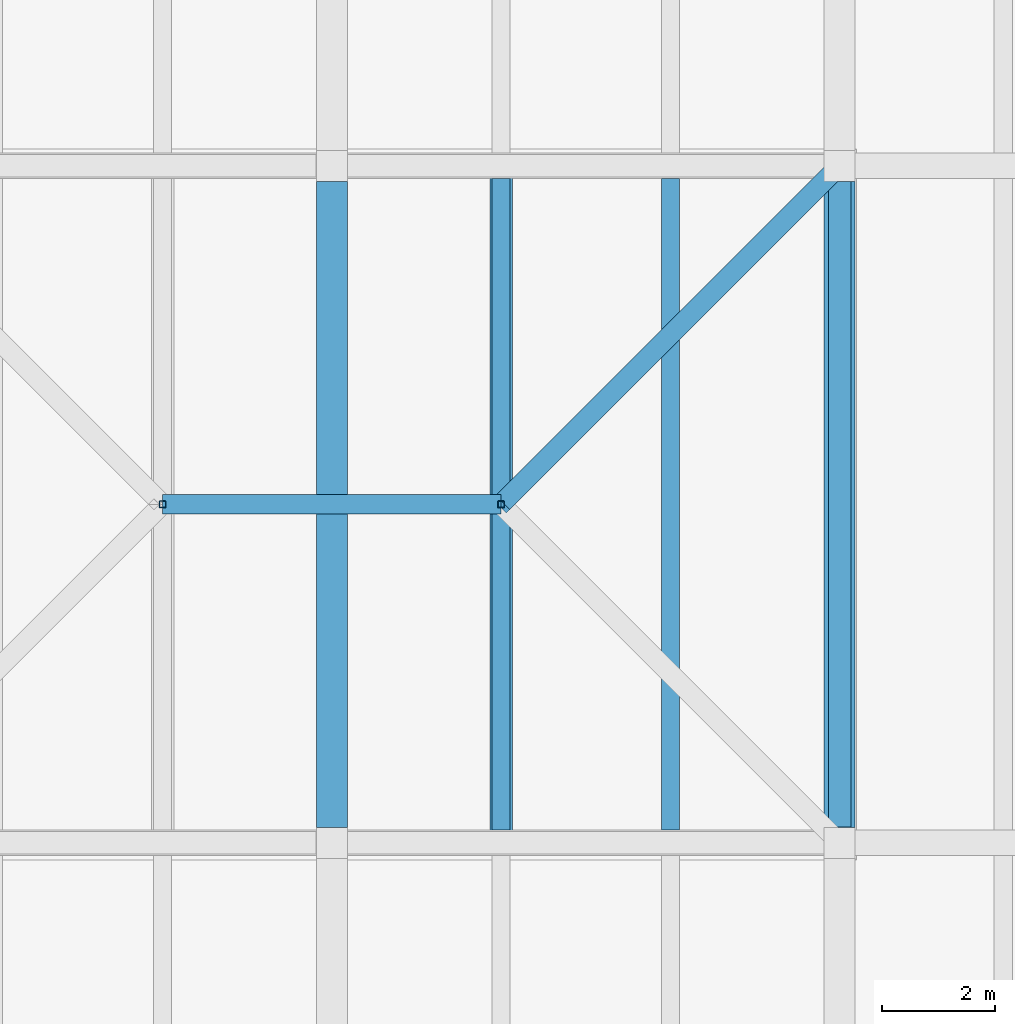
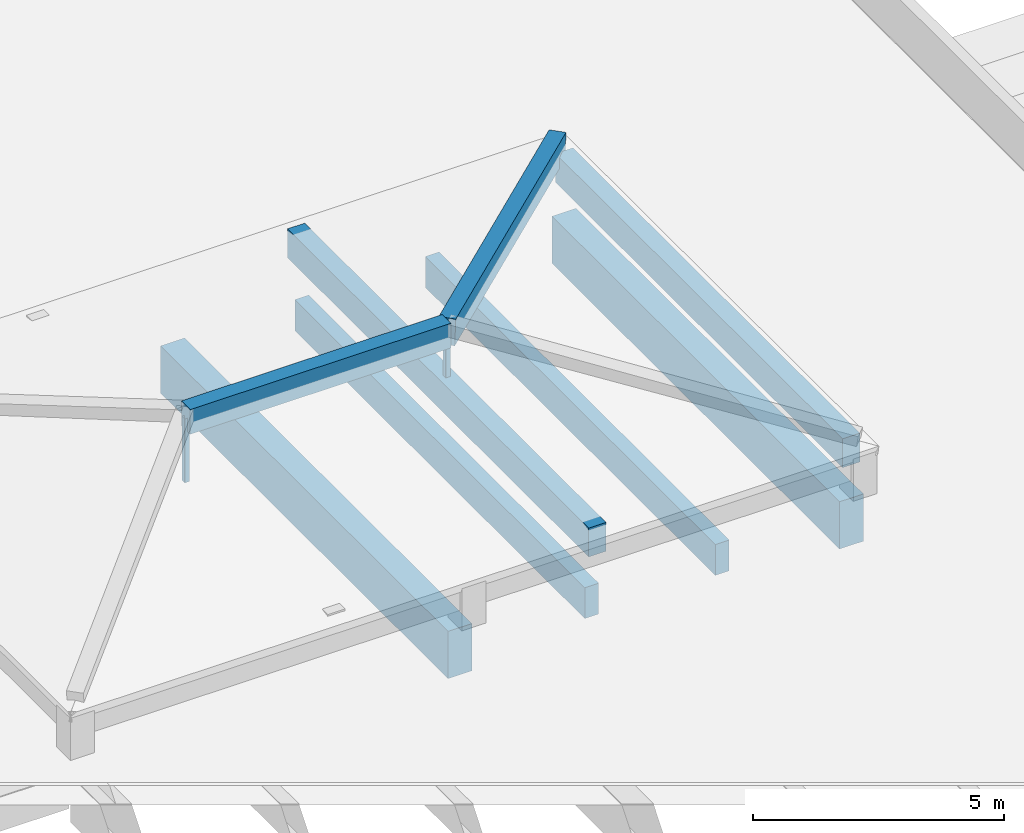
# One storey, part 17 of 56: 8 beams, 2 members.
"""IFC4 building model written with IfcOpenShell, lengths in metres."""

from ifc_helpers import new_model, si_unit, direction, frame, origin, origin_2d, place, context, subcontext, project, spatial, rectangle, hollow_rectangle, extrude, material, material_profile, profile_set, type_object, element, save


model = new_model("IFC4")

# Units and contexts
model_context = context("Model", 3, precision=1e-05, world=origin(), true_north=direction((0.0, 1.0)))
body_context = subcontext(model_context, "Body", "Model", "MODEL_VIEW")
ifc_project = project(units=[si_unit("LENGTHUNIT", "METRE"), si_unit("AREAUNIT", "SQUARE_METRE"), si_unit("VOLUMEUNIT", "CUBIC_METRE"), si_unit("PLANEANGLEUNIT", "RADIAN"), si_unit("MASSUNIT", "GRAM", prefix="KILO")], contexts=[model_context])

# Site, building, storey
site_placement = place(None, origin())
site = spatial("IfcSite", under=ifc_project, at=site_placement, CompositionType="ELEMENT")
building_placement = place(site_placement, origin())
building = spatial("IfcBuilding", under=site, at=building_placement, Name="Zacnel Wholesale Market", CompositionType="ELEMENT")
storey_placement = place(building_placement, frame((0.0, 0.0, 20.300048828125)))
storey = spatial("IfcBuildingStorey", under=building, at=storey_placement, Name="RF", CompositionType="ELEMENT", Elevation=20.300048828125)

# Beams
ifc_material_1 = material(Name="Concrete C40/50", Category="concrete")
ifc_material_profile_1 = material_profile(ifc_material_1, rectangle(XDim=0.35009765625, YDim=0.60009765625, at=origin_2d()), Name="ARCH RIB 350x600")
ifc_profile_set_1 = profile_set([ifc_material_profile_1], Name="Concrete C40/50")
beam_type_1 = type_object("IfcBeamType", Name="BM-AR600", PredefinedType="USERDEFINED", material=ifc_profile_set_1)
beam_1_placement = place(storey_placement, frame((63.0, 120.0, 1.179931640625), z_axis=(-0.700140600607, -0.700140600607, 0.140022422363), x_axis=(0.707106781187, -0.707106781187, 0.0)))
element("IfcBeam", 1, at=beam_1_placement, inside=storey, type_object=beam_type_1, Name="Hipped crown rib STR-ROOF-V3NLAN-3", ObjectType="ARCH RIB", PredefinedType="USERDEFINED", context=body_context, shape_type="SweptSolid", body=[
    extrude(rectangle(XDim=0.35009765625, YDim=0.60009765625, at=origin_2d()), origin(), (0.0, 0.0, 1.0), 8.56982421875),
])
beam_2_placement = place(storey_placement, frame((51.0, 114.0, 2.3798828125), z_axis=(1.0, 0.0, 0.0), x_axis=(0.0, 1.0, 0.0)))
element("IfcBeam", 2, at=beam_2_placement, inside=storey, type_object=beam_type_1, Name="Hipped crown ridge STR-ROOF-V3NLAN", ObjectType="ARCH RIB", PredefinedType="USERDEFINED", context=body_context, shape_type="SweptSolid", body=[
    extrude(rectangle(XDim=0.35009765625, YDim=0.60009765625, at=origin_2d()), origin(), (0.0, 0.0, 1.0), 6.0),
])
ifc_material_2 = material(Name="Precast concrete C45/55", Category="concrete")
ifc_material_profile_2 = material_profile(ifc_material_2, rectangle(XDim=0.320068359375, YDim=0.75, at=origin_2d()), Name="DT RIB 320x750")
ifc_profile_set_2 = profile_set([ifc_material_profile_2], Name="Precast concrete C45/55")
beam_type_2 = type_object("IfcBeamType", Name="BM-DT750", PredefinedType="JOIST", material=ifc_profile_set_2)
for number, where, z_axis, x_axis, name in (
    (3, (57.0, 108.22509765625, -0.675048828125), (0.0, 1.0, 0.0), (-1.0, 0.0, 0.0), "Precast secondary joist RF-0949"),
    (4, (60.0, 108.22509765625, -0.675048828125), (0.0, 1.0, 0.0), (-1.0, 0.0, 0.0), "Precast secondary joist RF-0950"),
):
    element("IfcBeam", number, at=place(storey_placement, frame(where, z_axis=z_axis, x_axis=x_axis)), inside=storey, type_object=beam_type_2, Name=name, PredefinedType="JOIST", context=body_context, shape_type="SweptSolid", body=[
        extrude(rectangle(XDim=0.320068359375, YDim=0.75, at=origin_2d()), origin(), (0.0, 0.0, 1.0), 11.5498046875),
    ])
ifc_material_3 = material(Name="Precast concrete C45/55", Category="concrete")
ifc_material_profile_3 = material_profile(ifc_material_3, rectangle(XDim=0.550048828125, YDim=1.14990234375, at=origin_2d()), Name="PG 550x1150")
ifc_profile_set_3 = profile_set([ifc_material_profile_3], Name="Precast concrete C45/55")
beam_type_3 = type_object("IfcBeamType", Name="BM-PG1150", PredefinedType="T_BEAM", material=ifc_profile_set_3)
for number, where, z_axis, x_axis, name in (
    (5, (54.0, 108.27490234375, -0.875), (0.0, 1.0, 0.0), (-1.0, 0.0, 0.0), "Precast girder Y-1476"),
    (6, (63.0, 108.27490234375, -0.875), (0.0, 1.0, 0.0), (-1.0, 0.0, 0.0), "Precast girder Y-1484"),
):
    element("IfcBeam", number, at=place(storey_placement, frame(where, z_axis=z_axis, x_axis=x_axis)), inside=storey, type_object=beam_type_3, Name=name, PredefinedType="T_BEAM", context=body_context, shape_type="SweptSolid", body=[
        extrude(rectangle(XDim=0.550048828125, YDim=1.14990234375, at=origin_2d()), origin(), (0.0, 0.0, 1.0), 11.4501953125),
    ])
ifc_material_4 = material(Name="Precast concrete C45/55", Category="concrete")
ifc_material_profile_4 = material_profile(ifc_material_4, rectangle(XDim=0.39990234375, YDim=0.699951171875, at=origin_2d()), Name="PG 400x700")
ifc_profile_set_4 = profile_set([ifc_material_profile_4], Name="Precast concrete C45/55")
beam_type_4 = type_object("IfcBeamType", Name="BM-PG700", PredefinedType="BEAM", material=ifc_profile_set_4)
beam_3_placement = place(storey_placement, frame((63.0, 108.280029296875, 0.849853515625), z_axis=(0.0, 1.0, 0.0), x_axis=(-1.0, 0.0, 0.0)))
element("IfcBeam", 7, at=beam_3_placement, inside=storey, type_object=beam_type_4, Name="Attic crown girder Y V3NLAN-06", PredefinedType="BEAM", context=body_context, shape_type="SweptSolid", body=[
    extrude(rectangle(XDim=0.39990234375, YDim=0.699951171875, at=origin_2d()), origin(), (0.0, 0.0, 1.0), 11.43994140625),
])
beam_4_placement = place(storey_placement, frame((57.0, 108.0, 0.949951171875), z_axis=(0.0, 1.0, 0.0), x_axis=(-1.0, 0.0, 0.0)))
element("IfcBeam", 8, at=beam_4_placement, inside=storey, type_object=beam_type_4, Name="Hipped crown tie beam STR-ROOF-V3NLAN-2", PredefinedType="BEAM", context=body_context, shape_type="SweptSolid", body=[
    extrude(rectangle(XDim=0.39990234375, YDim=0.699951171875, at=origin_2d()), origin(), (0.0, 0.0, 1.0), 12.0),
])

# Members
ifc_material_5 = material(Name="Steel S355", Category="steel")
ifc_material_profile_5 = material_profile(ifc_material_5, hollow_rectangle(XDim=0.1201171875, YDim=0.1201171875, WallThickness=0.00634765625, InnerFilletRadius=0.006103515625, OuterFilletRadius=0.011962890625, at=origin_2d()), Name="HSS 120x120x6.3")
ifc_profile_set_5 = profile_set([ifc_material_profile_5], Name="Steel S355")
member_type = type_object("IfcMemberType", Name="MEM-PST-HSS120", PredefinedType="POST", material=ifc_profile_set_5)
for number, where, z_axis, x_axis, name in (
    (9, (51.0, 114.0, 0.849853515625), (0.0, 0.0, 1.0), (1.0, 0.0, 0.0), "Hipped crown king-post STR-ROOF-V3NLAN-1"),
    (10, (57.0, 114.0, 0.849853515625), (0.0, 0.0, 1.0), (1.0, 0.0, 0.0), "Hipped crown king-post STR-ROOF-V3NLAN-2"),
):
    element("IfcMember", number, at=place(storey_placement, frame(where, z_axis=z_axis, x_axis=x_axis)), inside=storey, type_object=member_type, Name=name, PredefinedType="POST", context=body_context, shape_type="SweptSolid", body=[
        extrude(hollow_rectangle(XDim=0.1201171875, YDim=0.1201171875, WallThickness=0.00634765625, InnerFilletRadius=0.006103515625, OuterFilletRadius=0.011962890625, at=origin_2d()), origin(), (0.0, 0.0, 1.0), 1.550048828125),
    ])

save(model, "model.ifc")
